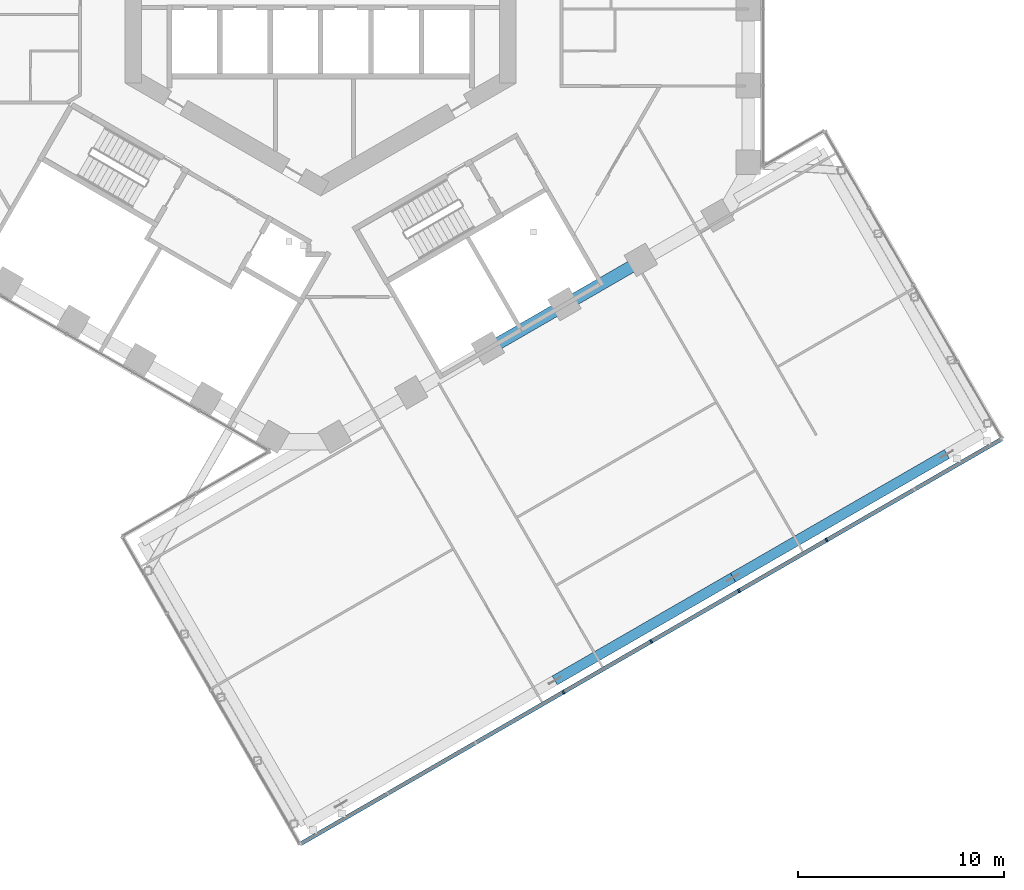
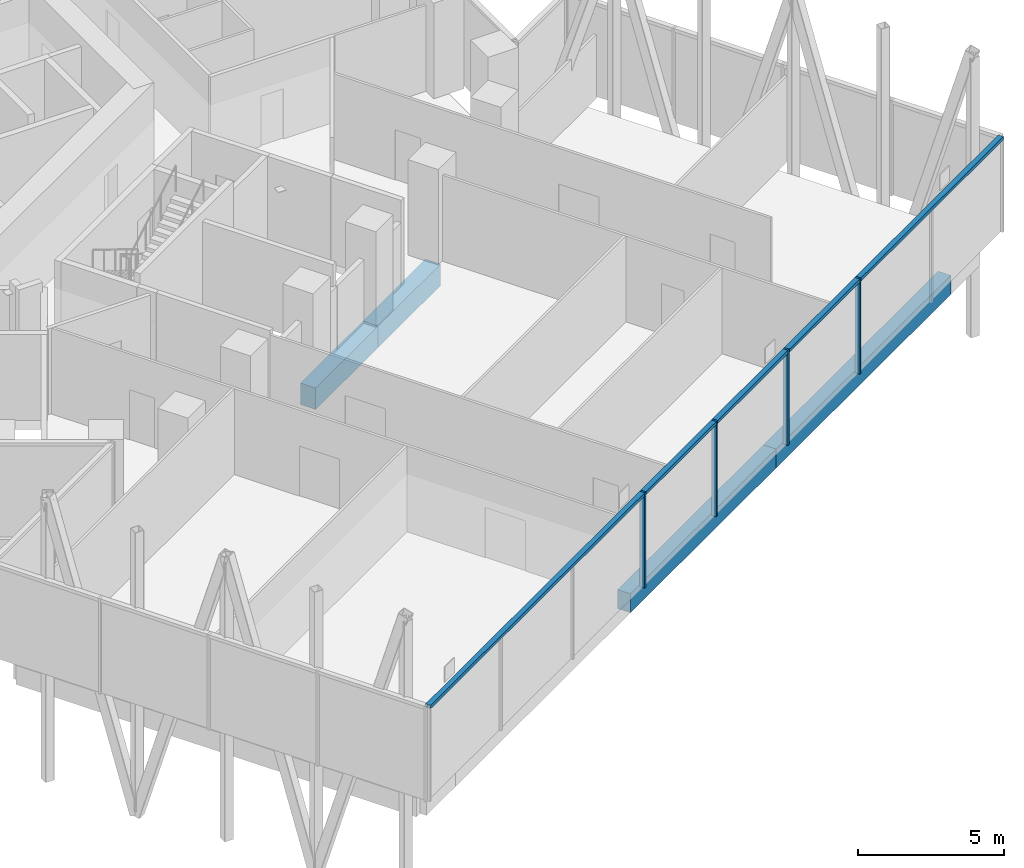
# One storey, part 4 of 27: 5 members, 4 beams, 1 element without a shape of its own.
"""IFC4 building model written with IfcOpenShell, lengths in metres."""

from ifc_helpers import new_model, si_unit, direction, frame, origin, origin_2d, place, context, subcontext, project, spatial, rectangle, extrude, material, layer, layer_set, material_profile, profile_set, type_object, element, aggregate, save


model = new_model("IFC4")

# Units and contexts
model_context = context("Model", 3, precision=1e-05, world=origin(), true_north=direction((0.0, 1.0)))
body_context = subcontext(model_context, "Body", "Model", "MODEL_VIEW")
ifc_project = project(units=[si_unit("LENGTHUNIT", "METRE"), si_unit("AREAUNIT", "SQUARE_METRE"), si_unit("VOLUMEUNIT", "CUBIC_METRE"), si_unit("PLANEANGLEUNIT", "RADIAN"), si_unit("MASSUNIT", "GRAM", prefix="KILO")], contexts=[model_context])

# Site, building, storey
site_placement = place(None, origin())
site = spatial("IfcSite", under=ifc_project, at=site_placement, CompositionType="ELEMENT")
building_placement = place(site_placement, origin())
building = spatial("IfcBuilding", under=site, at=building_placement, Name="Ayvan Gate Tower", CompositionType="ELEMENT")
storey_placement = place(building_placement, frame((0.0, 0.0, 70.300048828125)))
storey = spatial("IfcBuildingStorey", under=building, at=storey_placement, Name="L18", CompositionType="ELEMENT", Elevation=70.300048828125)

# Beams
ifc_material_1 = material(Name="Concrete C40/50", Category="concrete")
ifc_material_profile_1 = material_profile(ifc_material_1, rectangle(XDim=0.5, YDim=0.800048828125, at=origin_2d()), Name="RC 500x800")
ifc_profile_set_1 = profile_set([ifc_material_profile_1], Name="Concrete C40/50")
beam_type_1 = type_object("IfcBeamType", Name="Sky bar edge beam RC 500x800 C40/50", PredefinedType="BEAM", material=ifc_profile_set_1)
beam_1_placement = place(storey_placement, frame((30.43017578125, -23.506591796875, -0.800048828125), z_axis=(-0.866026010844, -0.49999894854, 0.0), x_axis=(0.49999894854, -0.866026010844, 0.0)))
element("IfcBeam", 1, at=beam_1_placement, inside=storey, type_object=beam_type_1, Name="EB-B1-L18-4", PredefinedType="BEAM", context=body_context, shape_type="SweptSolid", body=[
    extrude(rectangle(XDim=0.5, YDim=0.800048828125, at=origin_2d()), origin(), (0.0, 0.0, 1.0), 12.0),
])
beam_2_placement = place(storey_placement, frame((20.037841796875, -29.506591796875, -0.800048828125), z_axis=(-0.866022959057, -0.500004234368, 0.0), x_axis=(0.500004234368, -0.866022959057, 0.0)))
element("IfcBeam", 2, at=beam_2_placement, inside=storey, type_object=beam_type_1, Name="EB-B1-L18-5", PredefinedType="BEAM", context=body_context, shape_type="SweptSolid", body=[
    extrude(rectangle(XDim=0.5, YDim=0.800048828125, at=origin_2d()), origin(), (0.0, 0.0, 1.0), 10.0),
])
ifc_material_profile_2 = material_profile(ifc_material_1, rectangle(XDim=0.60009765625, YDim=0.89990234375, at=origin_2d()), Name="RC 600x900")
ifc_profile_set_2 = profile_set([ifc_material_profile_2], Name="Concrete C40/50")
beam_type_2 = type_object("IfcBeamType", Name="Spandrel beam RC 600x900 C40/50", PredefinedType="BEAM", material=ifc_profile_set_2)
beam_3_placement = place(storey_placement, frame((8.153564453125, -18.40673828125, -0.85009765625), z_axis=(0.866039452998, 0.499975665259, 0.0), x_axis=(-0.499975665259, 0.866039452998, 0.0)))
element("IfcBeam", 3, at=beam_3_placement, inside=storey, type_object=beam_type_2, Name="SB-L18-33", PredefinedType="BEAM", context=body_context, shape_type="SweptSolid", body=[
    extrude(rectangle(XDim=0.60009765625, YDim=0.89990234375, at=origin_2d()), origin(), (0.0, 0.0, 1.0), 4.284423828125),
])
beam_4_placement = place(storey_placement, frame((11.864013671875, -16.2646484375, -0.85009765625), z_axis=(0.866000531106, 0.500043078269, 0.0), x_axis=(-0.500043078269, 0.866000531106, 0.0)))
element("IfcBeam", 4, at=beam_4_placement, inside=storey, type_object=beam_type_2, Name="SB-L18-34", PredefinedType="BEAM", context=body_context, shape_type="SweptSolid", body=[
    extrude(rectangle(XDim=0.60009765625, YDim=0.89990234375, at=origin_2d()), origin(), (0.0, 0.0, 1.0), 4.2841796875),
])

# Curtain wall, members
ifc_material_2 = material(Name="Bronze anodised aluminium", Category="aluminium")
ifc_layer = layer(ifc_material_2, 0.199951171875)
ifc_layer_set = layer_set([ifc_layer], Name="Bronze anodised aluminium")
curtain_wall_type = type_object("IfcCurtainWallType", Name="Stick curtain wall CW-4", PredefinedType="NOTDEFINED", material=ifc_layer_set)
curtain_wall_placement = place(storey_placement, origin())
curtain_wall = element("IfcCurtainWall", 5, at=curtain_wall_placement, inside=storey, type_object=curtain_wall_type, Name="Stick curtain wall CW-4 L18", PredefinedType="NOTDEFINED")
ifc_material_profile_3 = material_profile(ifc_material_2, rectangle(XDim=0.199951171875, YDim=0.080078125, at=origin_2d()), Name="Stick curtain wall CW-4 mullion 200 x 80")
ifc_profile_set_3 = profile_set([ifc_material_profile_3], Name="Bronze anodised aluminium")
member_type_1 = type_object("IfcMemberType", Name="Stick curtain wall CW-4 mullion 200 x 80", PredefinedType="MULLION", material=ifc_profile_set_3)
member_1_placement = place(storey_placement, frame((11.79248046875, -35.075439453125, 0.0), z_axis=(0.0, 0.0, 1.0), x_axis=(0.5, -0.866025403784, 0.0)))
member_1 = element("IfcMember", 6, at=member_1_placement, type_object=member_type_1, Name="CW-4 mullion 4", PredefinedType="MULLION", context=body_context, shape_type="SweptSolid", body=[
    extrude(rectangle(XDim=0.199951171875, YDim=0.080078125, at=origin_2d()), origin(), (0.0, 0.0, 1.0), 4.0),
])
member_2_placement = place(storey_placement, frame((16.057861328125, -32.61279296875, 0.0), z_axis=(0.0, 0.0, 1.0), x_axis=(0.5, -0.866025403784, 0.0)))
member_2 = element("IfcMember", 7, at=member_2_placement, type_object=member_type_1, Name="CW-4 mullion 5", PredefinedType="MULLION", context=body_context, shape_type="SweptSolid", body=[
    extrude(rectangle(XDim=0.199951171875, YDim=0.080078125, at=origin_2d()), origin(), (0.0, 0.0, 1.0), 4.0),
])
member_3_placement = place(storey_placement, frame((20.322998046875, -30.150390625, 0.0), z_axis=(0.0, 0.0, 1.0), x_axis=(0.5, -0.866025403784, 0.0)))
member_3 = element("IfcMember", 8, at=member_3_placement, type_object=member_type_1, Name="CW-4 mullion 6", PredefinedType="MULLION", context=body_context, shape_type="SweptSolid", body=[
    extrude(rectangle(XDim=0.199951171875, YDim=0.080078125, at=origin_2d()), origin(), (0.0, 0.0, 1.0), 4.0),
])
member_4_placement = place(storey_placement, frame((24.588134765625, -27.687744140625, 0.0), z_axis=(0.0, 0.0, 1.0), x_axis=(0.5, -0.866025403784, 0.0)))
member_4 = element("IfcMember", 9, at=member_4_placement, type_object=member_type_1, Name="CW-4 mullion 7", PredefinedType="MULLION", context=body_context, shape_type="SweptSolid", body=[
    extrude(rectangle(XDim=0.199951171875, YDim=0.080078125, at=origin_2d()), origin(), (0.0, 0.0, 1.0), 4.0),
])
ifc_material_profile_4 = material_profile(ifc_material_2, rectangle(XDim=0.199951171875, YDim=0.139892578125, at=origin_2d()), Name="Stick curtain wall CW-4 transom 200 x 140")
ifc_profile_set_4 = profile_set([ifc_material_profile_4], Name="Bronze anodised aluminium")
member_type_2 = type_object("IfcMemberType", Name="Stick curtain wall CW-4 transom 200 x 140", PredefinedType="USERDEFINED", material=ifc_profile_set_4)
member_5_placement = place(storey_placement, frame((-0.96826171875, -42.44287109375, 3.929931640625), z_axis=(0.866025628272, 0.499999611175, 0.0), x_axis=(-0.499999611175, 0.866025628272, 0.0)))
member_5 = element("IfcMember", 10, at=member_5_placement, type_object=member_type_2, Name="CW-4 transom 1", ObjectType="TRANSOM", PredefinedType="USERDEFINED", context=body_context, shape_type="SweptSolid", body=[
    extrude(rectangle(XDim=0.199951171875, YDim=0.139892578125, at=origin_2d()), origin(), (0.0, 0.0, 1.0), 39.31982421875),
])
aggregate(curtain_wall, [member_1, member_2, member_3, member_4, member_5])

save(model, "model.ifc")
